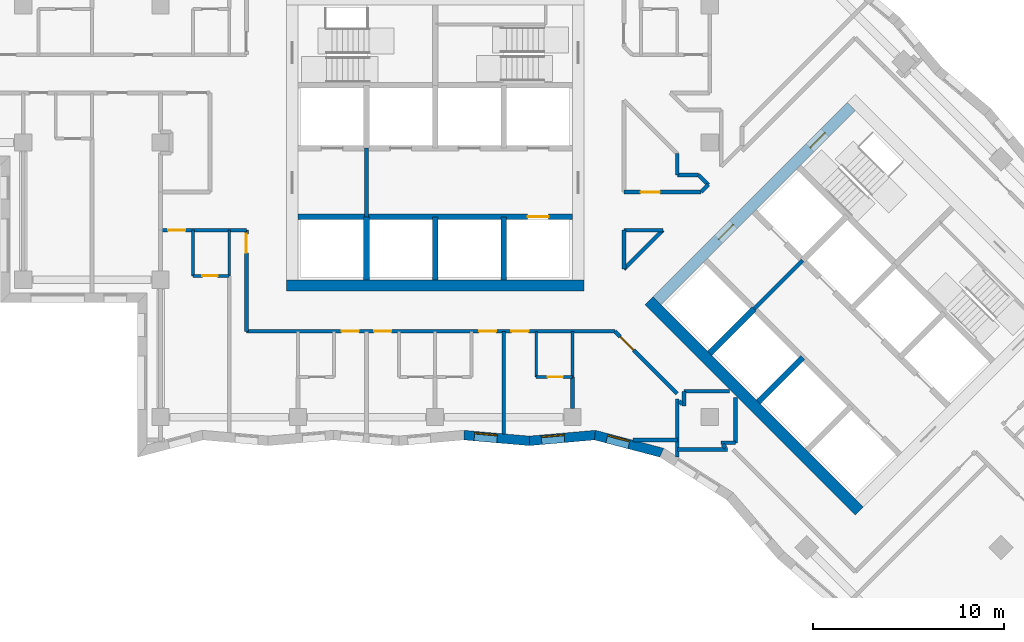
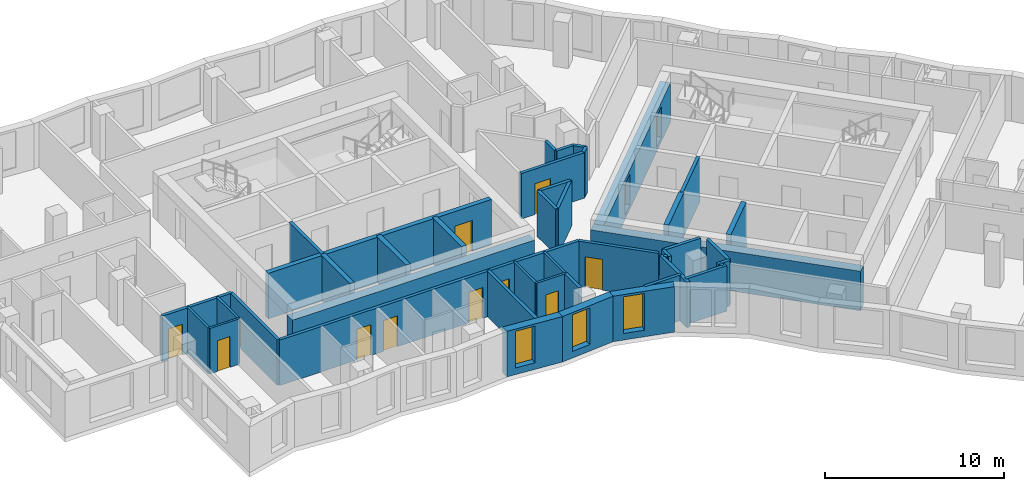
# One storey, part 3 of 12: 43 walls, 13 doors, 3 windows, 16 openings.
"""IFC4 building model written with IfcOpenShell, lengths in metres."""

import ifcopenshell
import ifcopenshell.guid

model = None  # the IFC model being written
_history = None  # IfcOwnerHistory: only IFC2X3 demands one
_inside = {}  # id of a spatial element -> (the spatial element, [elements in it])
_under = {}  # id of a project, library or spatial element -> (it, [spatial elements below it])
_declared = {}  # id of a project -> (the project, [libraries it declares])
_typed = {}  # id of a type object -> (the type object, [elements of that type])
_made_of = {}  # id of a material, layer set ... -> (it, [elements and type objects made of it])


def new_model(schema):
    """Start an empty IFC model of exactly this schema.

    Asked for "IFC4X3", IfcOpenShell would pick the latest addendum, in which some entities
    have other attributes; the version numbers below select the first issue.
    IFC2X3 requires an IfcOwnerHistory on every rooted entity: one is made here for all.
    """
    global model, _history
    if schema == "IFC4X3":
        model = ifcopenshell.file(schema_version=(4, 3, 0, 0))
    else:
        model = ifcopenshell.file(schema=schema)
    _inside.clear()
    _under.clear()
    _declared.clear()
    _typed.clear()
    _made_of.clear()
    _history = None
    if model.schema == "IFC2X3":
        org = make("IfcOrganization", Name="unknown")
        user = make(
            "IfcPersonAndOrganization",
            ThePerson=make("IfcPerson", FamilyName="unknown"),
            TheOrganization=org,
        )
        app = make(
            "IfcApplication",
            ApplicationDeveloper=org,
            Version="unknown",
            ApplicationFullName="unknown",
            ApplicationIdentifier="unknown",
        )
        _history = make(
            "IfcOwnerHistory",
            OwningUser=user,
            OwningApplication=app,
            ChangeAction="ADDED",
            CreationDate=0,
        )
    return model


def make(cls, **values):
    """One entity of the class cls with the attributes given. An attribute that is None is left unset."""
    return model.create_entity(
        cls, **{name: value for name, value in values.items() if value is not None}
    )


def rooted(cls, **values):
    """An entity with a GlobalId (a new one), such as an element, a storey or a relation."""
    return make(cls, GlobalId=ifcopenshell.guid.new(), OwnerHistory=_history, **values)


def si_unit(unit_type, name, prefix=None):
    """IfcSIUnit, for example si_unit("LENGTHUNIT", "METRE", prefix="MILLI")."""
    return make("IfcSIUnit", UnitType=unit_type, Prefix=prefix, Name=name)


def assignment(units):
    """IfcUnitAssignment: the units of a project."""
    return None if units is None else make("IfcUnitAssignment", Units=units)


def point(xyz):
    """IfcCartesianPoint."""
    return None if xyz is None else make("IfcCartesianPoint", Coordinates=xyz)


def direction(xyz):
    """IfcDirection."""
    return None if xyz is None else make("IfcDirection", DirectionRatios=xyz)


def frame(location, z_axis=None, x_axis=None):
    """IfcAxis2Placement3D, a coordinate frame: its origin and axes. An axis left out is left unset."""
    return make(
        "IfcAxis2Placement3D",
        Location=point(location),
        Axis=direction(z_axis),
        RefDirection=direction(x_axis),
    )


def frame_2d(location, x_axis=None):
    """IfcAxis2Placement2D, a coordinate frame in the plane: its origin and x axis."""
    return make(
        "IfcAxis2Placement2D", Location=point(location), RefDirection=direction(x_axis)
    )


def origin():
    """The frame at (0, 0, 0) with its axes left unset."""
    return frame((0.0, 0.0, 0.0))


def place(relative_to, where):
    """IfcLocalPlacement: puts the frame where relative to a parent placement (None: the world)."""
    return make(
        "IfcLocalPlacement", PlacementRelTo=relative_to, RelativePlacement=where
    )


def context(
    kind, dimensions, precision=None, world=None, true_north=None, identifier=None
):
    """IfcGeometricRepresentationContext, for example the 3D "Model" context."""
    return make(
        "IfcGeometricRepresentationContext",
        ContextIdentifier=identifier,
        ContextType=kind,
        CoordinateSpaceDimension=dimensions,
        Precision=precision,
        WorldCoordinateSystem=world,
        TrueNorth=true_north,
    )


def subcontext(parent, identifier, kind, view, scale=None):
    """IfcGeometricRepresentationSubContext, for example "Body" below "Model"."""
    return make(
        "IfcGeometricRepresentationSubContext",
        ContextIdentifier=identifier,
        ContextType=kind,
        ParentContext=parent,
        TargetScale=scale,
        TargetView=view,
    )


def project(units=None, contexts=None):
    """IfcProject with its units and contexts."""
    return rooted(
        "IfcProject",
        Name="project",
        RepresentationContexts=contexts,
        UnitsInContext=assignment(units),
    )


def spatial(cls, under=None, at=None, **own):
    """A site, building, storey or space (cls), placed at a placement, below another one or the project."""
    s = rooted(cls, ObjectPlacement=at, **own)
    if under is not None:
        _under.setdefault(under.id(), (under, []))[1].append(s)
    return s


def polyline(points):
    """IfcPolyline through the points."""
    return make("IfcPolyline", Points=[point(p) for p in points])


def profile(cls, at=None, kind="AREA", **sizes):
    """A parametric profile (cls). Its sizes go by their IFC names, for example OverallWidth=200.0."""
    return make(cls, ProfileType=kind, Position=at, **sizes)


def rectangle(**sizes):
    """IfcRectangleProfileDef."""
    return profile("IfcRectangleProfileDef", **sizes)


def outline(outer, holes=None, kind="AREA"):
    """IfcArbitraryClosedProfileDef: a profile drawn as a closed curve; with holes, ...WithVoids."""
    if holes is None:
        return make("IfcArbitraryClosedProfileDef", ProfileType=kind, OuterCurve=outer)
    return make(
        "IfcArbitraryProfileDefWithVoids",
        ProfileType=kind,
        OuterCurve=outer,
        InnerCurves=holes,
    )


def extrude(swept, where, along, depth):
    """IfcExtrudedAreaSolid: the profile swept, set in the frame where, extruded along a direction by depth."""
    return make(
        "IfcExtrudedAreaSolid",
        SweptArea=swept,
        Position=where,
        ExtrudedDirection=direction(along),
        Depth=depth,
    )


def shape(context_of_items, identifier, shape_type, items):
    """IfcShapeRepresentation: the items that make up one representation, for example the "Body"."""
    return make(
        "IfcShapeRepresentation",
        ContextOfItems=context_of_items,
        RepresentationIdentifier=identifier,
        RepresentationType=shape_type,
        Items=items,
    )


def material(Name=None, Category=None):
    """IfcMaterial."""
    return make("IfcMaterial", Name=Name, Category=Category)


def layer(
    of_material, thickness, ventilated=None, Name=None, Category=None, Priority=None
):
    """IfcMaterialLayer: one layer of a wall or slab, of a material (None: an air gap)."""
    return make(
        "IfcMaterialLayer",
        Material=of_material,
        LayerThickness=thickness,
        IsVentilated=ventilated,
        Name=Name,
        Category=Category,
        Priority=Priority,
    )


def layer_set(layers, Name=None):
    """IfcMaterialLayerSet."""
    return make("IfcMaterialLayerSet", MaterialLayers=layers, LayerSetName=Name)


def made_of(thing, what):
    """Note that an element or type object is made of a material, layer set ...; save() writes the relation."""
    if what is not None:
        _made_of.setdefault(what.id(), (what, []))[1].append(thing)
    return thing


def type_object(cls, material=None, **own):
    """A type object (cls), such as IfcWallType, which elements share."""
    return made_of(rooted(cls, **own), material)


def element(
    cls,
    number,
    at=None,
    inside=None,
    cuts=None,
    type_object=None,
    material=None,
    context=None,
    identifier="Body",
    shape_type=None,
    held_by="IfcProductDefinitionShape",
    body=None,
    shapes=None,
    **own,
):
    """One element of the class cls, such as IfcWall. Its Tag is "e" and its number.

    at: its placement. inside: the storey or other place that contains it. cuts: it is an
    opening in that element (IfcRelVoidsElement). A single representation is given by context,
    identifier, shape_type and body (its items); several are given by shapes. held_by: the class
    of the entity that holds the representations. save() writes the other relations.
    """
    e = rooted(cls, Tag="e%d" % number, ObjectPlacement=at, **own)
    if body is not None:
        shapes = [shape(context, identifier, shape_type, body)]
    if shapes is not None:
        e.Representation = make(held_by, Representations=shapes)
    if inside is not None:
        _inside.setdefault(inside.id(), (inside, []))[1].append(e)
    if cuts is not None:
        rooted(
            "IfcRelVoidsElement", RelatingBuildingElement=cuts, RelatedOpeningElement=e
        )
    if type_object is not None:
        _typed.setdefault(type_object.id(), (type_object, []))[1].append(e)
    return made_of(e, material)


def fill(opening, filler):
    """IfcRelFillsElement: the door or window that sits in an opening."""
    return rooted(
        "IfcRelFillsElement",
        RelatingOpeningElement=opening,
        RelatedBuildingElement=filler,
    )


def aggregate(whole, parts):
    """IfcRelAggregates: a whole, such as a stair, and the parts it consists of."""
    return rooted("IfcRelAggregates", RelatingObject=whole, RelatedObjects=parts)


def save(model, path):
    """Write the relations noted so far, then the file.

    IfcRelAggregates (storeys below a building ...), IfcRelContainedInSpatialStructure (elements
    in a storey), IfcRelDefinesByType, IfcRelAssociatesMaterial and IfcRelDeclares: one each for
    every whole, place, type object, material and project.
    """
    for whole, parts in _under.values():
        aggregate(whole, parts)
    for where, things in _inside.values():
        rooted(
            "IfcRelContainedInSpatialStructure",
            RelatedElements=things,
            RelatingStructure=where,
        )
    for kind, things in _typed.values():
        rooted("IfcRelDefinesByType", RelatedObjects=things, RelatingType=kind)
    for what, things in _made_of.values():
        rooted("IfcRelAssociatesMaterial", RelatedObjects=things, RelatingMaterial=what)
    for by, libraries in _declared.values():
        rooted("IfcRelDeclares", RelatingContext=by, RelatedDefinitions=libraries)
    model.write(path)


model = new_model("IFC4")

# Units and contexts
model_context = context("Model", 3, precision=1e-05, world=origin(), true_north=direction((0.0, 1.0)))
body_context = subcontext(model_context, "Body", "Model", "MODEL_VIEW")
ifc_project = project(units=[si_unit("LENGTHUNIT", "METRE"), si_unit("AREAUNIT", "SQUARE_METRE"), si_unit("VOLUMEUNIT", "CUBIC_METRE"), si_unit("PLANEANGLEUNIT", "RADIAN"), si_unit("MASSUNIT", "GRAM", prefix="KILO")], contexts=[model_context])

# Site, building, storey
site_placement = place(None, origin())
site = spatial("IfcSite", under=ifc_project, at=site_placement, CompositionType="ELEMENT")
building_placement = place(site_placement, origin())
building = spatial("IfcBuilding", under=site, at=building_placement, Name="Windrow Commons", CompositionType="ELEMENT")
storey_placement = place(building_placement, frame((0.0, 0.0, 135.4)))
storey = spatial("IfcBuildingStorey", under=building, at=storey_placement, Name="L36", CompositionType="ELEMENT", Elevation=135.4)

# Wall, opening, window
ifc_material_1 = material(Name="Brick masonry, red clay brick", Category="masonry")
ifc_layer_1 = layer(ifc_material_1, 0.5)
ifc_layer_set_1 = layer_set([ifc_layer_1], Name="Brick facade wall 500")
wall_type_1 = type_object("IfcWallType", Name="Brick facade wall 500", PredefinedType="SOLIDWALL", material=ifc_layer_set_1)
wall_1_placement = place(storey_placement, frame((66.3144, 42.251, 0.0), z_axis=(0.0, 0.0, 1.0), x_axis=(0.996181166, -0.0873102778, 0.0)))
wall_1 = element("IfcWall", 1, at=wall_1_placement, inside=storey, type_object=wall_type_1, Name="Brick facade wall L36 47", PredefinedType="SOLIDWALL", context=body_context, shape_type="SweptSolid", body=[
    extrude(outline(polyline([(0.0219, -0.25), (3.4579, -0.25), (3.4141, 0.25), (-0.0219, 0.25), (0.0219, -0.25)])), origin(), (0.0, 0.0, 1.0), 3.1),
])
opening_1_placement = place(wall_1_placement, frame((0.5468, 0.0, 0.45)))
opening_1 = element("IfcOpeningElement", 2, at=opening_1_placement, cuts=wall_1, Name="Opening W7E", PredefinedType="OPENING", context=body_context, shape_type="SweptSolid", body=[
    extrude(rectangle(XDim=1.2, YDim=2.5, at=frame_2d((0.6, 1.25))), frame((0.0, 0.26, 0.0), z_axis=(0.0, -1.0, 0.0), x_axis=(1.0, 0.0, 0.0)), (0.0, 0.0, 1.0), 0.52),
])
ifc_material_2 = material(Name="Clear float glass in anodised aluminium frame", Category="aluminium")
window_type = type_object("IfcWindowType", Name="Window W7 notch 1200x2500", PartitioningType="SINGLE_PANEL", PredefinedType="WINDOW", material=ifc_material_2)
window_1_placement = place(opening_1_placement, origin())
window_1 = element("IfcWindow", 3, at=window_1_placement, inside=storey, type_object=window_type, Name="Window L36 47.1", OverallHeight=2.5, OverallWidth=1.2, PartitioningType="SINGLE_PANEL", PredefinedType="WINDOW", context=body_context, shape_type="SweptSolid", body=[
    extrude(rectangle(XDim=1.2, YDim=2.5, at=frame_2d((0.6, 1.25))), frame((0.0, 0.18, 0.0), z_axis=(0.0, -1.0, 0.0), x_axis=(1.0, 0.0, 0.0)), (0.0, 0.0, 1.0), 0.06),
])
fill(opening_1, window_1)

wall_2_placement = place(storey_placement, frame((69.7373, 41.951, 0.0), z_axis=(0.0, 0.0, 1.0), x_axis=(0.9961832879, 0.0872860633, 0.0)))
wall_2 = element("IfcWall", 4, at=wall_2_placement, inside=storey, type_object=wall_type_1, Name="Brick facade wall L36 48", PredefinedType="SOLIDWALL", context=body_context, shape_type="SweptSolid", body=[
    extrude(outline(polyline([(-0.0219, -0.25), (3.4141, -0.25), (3.5011, 0.25), (0.0219, 0.25), (-0.0219, -0.25)])), origin(), (0.0, 0.0, 1.0), 3.1),
])
opening_2_placement = place(wall_2_placement, frame((0.6466, 0.0, 0.45)))
opening_2 = element("IfcOpeningElement", 5, at=opening_2_placement, cuts=wall_2, Name="Opening W7E", PredefinedType="OPENING", context=body_context, shape_type="SweptSolid", body=[
    extrude(rectangle(XDim=1.2, YDim=2.5, at=frame_2d((0.6, 1.25))), frame((0.0, 0.26, 0.0), z_axis=(0.0, -1.0, 0.0), x_axis=(1.0, 0.0, 0.0)), (0.0, 0.0, 1.0), 0.52),
])
window_2_placement = place(opening_2_placement, origin())
window_2 = element("IfcWindow", 6, at=window_2_placement, inside=storey, type_object=window_type, Name="Window L36 48.1", OverallHeight=2.5, OverallWidth=1.2, PartitioningType="SINGLE_PANEL", PredefinedType="WINDOW", context=body_context, shape_type="SweptSolid", body=[
    extrude(rectangle(XDim=1.2, YDim=2.5, at=frame_2d((0.6, 1.25))), frame((0.0, 0.18, 0.0), z_axis=(0.0, -1.0, 0.0), x_axis=(1.0, 0.0, 0.0)), (0.0, 0.0, 1.0), 0.06),
])
fill(opening_2, window_2)

wall_3_placement = place(storey_placement, frame((73.1817, 42.2528, 0.0), z_axis=(0.0, 0.0, 1.0), x_axis=(0.9671281624, -0.2542894363, 0.0)))
wall_3 = element("IfcWall", 7, at=wall_3_placement, inside=storey, type_object=wall_type_1, Name="Brick facade wall L36 49", PredefinedType="SOLIDWALL", context=body_context, shape_type="SweptSolid", body=[
    extrude(outline(polyline([(0.0435, -0.25), (3.5827, -0.25), (3.661, 0.25), (-0.0435, 0.25), (0.0435, -0.25)])), origin(), (0.0, 0.0, 1.0), 3.1),
])
opening_3_placement = place(wall_3_placement, frame((0.6502, 0.0, 0.45)))
opening_3 = element("IfcOpeningElement", 8, at=opening_3_placement, cuts=wall_3, Name="Opening W7E", PredefinedType="OPENING", context=body_context, shape_type="SweptSolid", body=[
    extrude(rectangle(XDim=1.2, YDim=2.5, at=frame_2d((0.6, 1.25))), frame((0.0, 0.26, 0.0), z_axis=(0.0, -1.0, 0.0), x_axis=(1.0, 0.0, 0.0)), (0.0, 0.0, 1.0), 0.52),
])
window_3_placement = place(opening_3_placement, origin())
window_3 = element("IfcWindow", 9, at=window_3_placement, inside=storey, type_object=window_type, Name="Window L36 49.1", OverallHeight=2.5, OverallWidth=1.2, PartitioningType="SINGLE_PANEL", PredefinedType="WINDOW", context=body_context, shape_type="SweptSolid", body=[
    extrude(rectangle(XDim=1.2, YDim=2.5, at=frame_2d((0.6, 1.25))), frame((0.0, 0.18, 0.0), z_axis=(0.0, -1.0, 0.0), x_axis=(1.0, 0.0, 0.0)), (0.0, 0.0, 1.0), 0.06),
])
fill(opening_3, window_3)

# Walls
ifc_material_3 = material(Name="Blockwork partition", Category="masonry")
ifc_layer_2 = layer(ifc_material_3, 0.2)
ifc_layer_set_2 = layer_set([ifc_layer_2], Name="Fire lobby partition 200")
wall_type_2 = type_object("IfcWallType", Name="Fire lobby partition 200", PredefinedType="PARTITIONING", material=ifc_layer_set_2)
for number, where, z_axis, x_axis, name in (
    (10, (61.2, 53.7, 0.0), (0.0, 0.0, 1.0), (0.0, 1.0, 0.0), "W-core-lobby-A-L36"),
    (11, (81.5335, 48.8776, 0.0), (0.0, 0.0, 1.0), (0.707092892, 0.7071206701, 0.0), "W-core-lobby-B-L36"),
):
    element("IfcWall", number, at=place(storey_placement, frame(where, z_axis=z_axis, x_axis=x_axis)), inside=storey, type_object=wall_type_2, Name=name, PredefinedType="PARTITIONING", context=body_context, shape_type="SweptSolid", body=[
        extrude(rectangle(XDim=3.6, YDim=0.2, at=frame_2d((1.8, 0.0))), origin(), (0.0, 0.0, 1.0), 3.1),
    ])

# Wall, openings, doors
ifc_material_4 = material(Name="Blockwork partition", Category="masonry")
ifc_layer_3 = layer(ifc_material_4, 0.2)
ifc_layer_set_3 = layer_set([ifc_layer_3], Name="IW-CORRIDOR-200")
wall_type_3 = type_object("IfcWallType", Name="IW-CORRIDOR-200", PredefinedType="PARTITIONING", material=ifc_layer_set_3)
wall_4_placement = place(storey_placement, frame((54.9, 47.7, 0.0), z_axis=(0.0, 0.0, 1.0), x_axis=(1.0, 0.0, 0.0)))
wall_4 = element("IfcWall", 12, at=wall_4_placement, inside=storey, type_object=wall_type_3, Name="W-L36-W001", PredefinedType="PARTITIONING", context=body_context, shape_type="SweptSolid", body=[
    extrude(rectangle(XDim=19.326, YDim=0.2, at=frame_2d((9.663, 0.0))), origin(), (0.0, 0.0, 1.0), 3.1),
])
opening_4_placement = place(wall_4_placement, frame((5.0, 0.0, 0.0)))
opening_4 = element("IfcOpeningElement", 13, at=opening_4_placement, cuts=wall_4, Name="Opening D109S", PredefinedType="OPENING", context=body_context, shape_type="SweptSolid", body=[
    extrude(rectangle(XDim=0.9, YDim=2.1, at=frame_2d((0.45, 1.05))), frame((0.0, 0.11, 0.0), z_axis=(0.0, -1.0, 0.0), x_axis=(1.0, 0.0, 0.0)), (0.0, 0.0, 1.0), 0.22),
])
opening_5_placement = place(wall_4_placement, frame((12.2, 0.0, 0.0)))
opening_5 = element("IfcOpeningElement", 14, at=opening_5_placement, cuts=wall_4, Name="Opening D109S", PredefinedType="OPENING", context=body_context, shape_type="SweptSolid", body=[
    extrude(rectangle(XDim=0.9, YDim=2.1, at=frame_2d((0.45, 1.05))), frame((0.0, 0.11, 0.0), z_axis=(0.0, -1.0, 0.0), x_axis=(1.0, 0.0, 0.0)), (0.0, 0.0, 1.0), 0.22),
])
opening_6_placement = place(wall_4_placement, frame((6.7, 0.0, 0.0)))
opening_6 = element("IfcOpeningElement", 15, at=opening_6_placement, cuts=wall_4, Name="Opening D109S", PredefinedType="OPENING", context=body_context, shape_type="SweptSolid", body=[
    extrude(rectangle(XDim=0.9, YDim=2.1, at=frame_2d((0.45, 1.05))), frame((0.0, 0.11, 0.0), z_axis=(0.0, -1.0, 0.0), x_axis=(1.0, 0.0, 0.0)), (0.0, 0.0, 1.0), 0.22),
])
opening_7_placement = place(wall_4_placement, frame((13.9, 0.0, 0.0)))
opening_7 = element("IfcOpeningElement", 16, at=opening_7_placement, cuts=wall_4, Name="Opening D109S", PredefinedType="OPENING", context=body_context, shape_type="SweptSolid", body=[
    extrude(rectangle(XDim=0.9, YDim=2.1, at=frame_2d((0.45, 1.05))), frame((0.0, 0.11, 0.0), z_axis=(0.0, -1.0, 0.0), x_axis=(1.0, 0.0, 0.0)), (0.0, 0.0, 1.0), 0.22),
])
ifc_material_5 = material(Name="Timber door leaf", Category="wood")
door_type_1 = type_object("IfcDoorType", Name="DT-BEDROOM-900", OperationType="SINGLE_SWING_LEFT", PredefinedType="DOOR", material=ifc_material_5)
door_1_placement = place(opening_4_placement, origin())
door_1 = element("IfcDoor", 17, at=door_1_placement, inside=storey, type_object=door_type_1, Name="D-L36-D027", OperationType="SINGLE_SWING_LEFT", OverallHeight=2.1, OverallWidth=0.9, PredefinedType="DOOR", context=body_context, shape_type="SweptSolid", body=[
    extrude(rectangle(XDim=0.9, YDim=2.1, at=frame_2d((0.45, 1.05))), frame((0.0, 0.025, 0.0), z_axis=(0.0, -1.0, 0.0), x_axis=(1.0, 0.0, 0.0)), (0.0, 0.0, 1.0), 0.05),
])
fill(opening_4, door_1)
door_2_placement = place(opening_5_placement, origin())
door_2 = element("IfcDoor", 18, at=door_2_placement, inside=storey, type_object=door_type_1, Name="D-L36-D029", OperationType="SINGLE_SWING_LEFT", OverallHeight=2.1, OverallWidth=0.9, PredefinedType="DOOR", context=body_context, shape_type="SweptSolid", body=[
    extrude(rectangle(XDim=0.9, YDim=2.1, at=frame_2d((0.45, 1.05))), frame((0.0, 0.025, 0.0), z_axis=(0.0, -1.0, 0.0), x_axis=(1.0, 0.0, 0.0)), (0.0, 0.0, 1.0), 0.05),
])
fill(opening_5, door_2)
door_3_placement = place(opening_6_placement, origin())
door_3 = element("IfcDoor", 19, at=door_3_placement, inside=storey, type_object=door_type_1, Name="D-L36-D033", OperationType="SINGLE_SWING_RIGHT", OverallHeight=2.1, OverallWidth=0.9, PredefinedType="DOOR", context=body_context, shape_type="SweptSolid", body=[
    extrude(rectangle(XDim=0.9, YDim=2.1, at=frame_2d((0.45, 1.05))), frame((0.0, 0.025, 0.0), z_axis=(0.0, -1.0, 0.0), x_axis=(1.0, 0.0, 0.0)), (0.0, 0.0, 1.0), 0.05),
])
fill(opening_6, door_3)
door_4_placement = place(opening_7_placement, origin())
door_4 = element("IfcDoor", 20, at=door_4_placement, inside=storey, type_object=door_type_1, Name="D-L36-D035", OperationType="SINGLE_SWING_RIGHT", OverallHeight=2.1, OverallWidth=0.9, PredefinedType="DOOR", context=body_context, shape_type="SweptSolid", body=[
    extrude(rectangle(XDim=0.9, YDim=2.1, at=frame_2d((0.45, 1.05))), frame((0.0, 0.025, 0.0), z_axis=(0.0, -1.0, 0.0), x_axis=(1.0, 0.0, 0.0)), (0.0, 0.0, 1.0), 0.05),
])
fill(opening_7, door_4)

# Wall, opening, door
wall_5_placement = place(storey_placement, frame((54.9, 47.7, 0.0), z_axis=(0.0, 0.0, 1.0), x_axis=(0.0, 1.0, 0.0)))
wall_5 = element("IfcWall", 21, at=wall_5_placement, inside=storey, type_object=wall_type_3, Name="W-L36-W030", PredefinedType="PARTITIONING", context=body_context, shape_type="SweptSolid", body=[
    extrude(rectangle(XDim=5.3, YDim=0.2, at=frame_2d((2.65, 0.0))), origin(), (0.0, 0.0, 1.0), 3.1),
])
opening_8_placement = place(wall_5_placement, frame((4.1063, 0.0, 0.0)))
opening_8 = element("IfcOpeningElement", 22, at=opening_8_placement, cuts=wall_5, Name="Opening D310F", PredefinedType="OPENING", context=body_context, shape_type="SweptSolid", body=[
    extrude(rectangle(XDim=1.0, YDim=2.1, at=frame_2d((0.5, 1.05))), frame((0.0, 0.11, 0.0), z_axis=(0.0, -1.0, 0.0), x_axis=(1.0, 0.0, 0.0)), (0.0, 0.0, 1.0), 0.22),
])
ifc_material_6 = material(Name="Timber door leaf", Category="wood")
door_type_2 = type_object("IfcDoorType", Name="DT-AMENITY-1000", OperationType="SINGLE_SWING_LEFT", PredefinedType="DOOR", material=ifc_material_6)
door_5_placement = place(opening_8_placement, origin())
door_5 = element("IfcDoor", 23, at=door_5_placement, inside=storey, type_object=door_type_2, Name="D-L36-D026", OperationType="SINGLE_SWING_RIGHT", OverallHeight=2.1, OverallWidth=1.0, PredefinedType="DOOR", context=body_context, shape_type="SweptSolid", body=[
    extrude(rectangle(XDim=1.0, YDim=2.1, at=frame_2d((0.5, 1.05))), frame((0.0, 0.025, 0.0), z_axis=(0.0, -1.0, 0.0), x_axis=(1.0, 0.0, 0.0)), (0.0, 0.0, 1.0), 0.05),
])
fill(opening_8, door_5)

wall_6_placement = place(storey_placement, frame((74.2227, 47.6967, 0.0), z_axis=(0.0, 0.0, 1.0), x_axis=(0.7071067812, -0.7071067812, 0.0)))
wall_6 = element("IfcWall", 24, at=wall_6_placement, inside=storey, type_object=wall_type_3, Name="W-L36-W037", PredefinedType="PARTITIONING", context=body_context, shape_type="SweptSolid", body=[
    extrude(rectangle(XDim=4.6301, YDim=0.2, at=frame_2d((2.315, 0.0))), origin(), (0.0, 0.0, 1.0), 3.1),
])
opening_9_placement = place(wall_6_placement, frame((0.4008, 0.0, 0.0)))
opening_9 = element("IfcOpeningElement", 25, at=opening_9_placement, cuts=wall_6, Name="Opening D310F", PredefinedType="OPENING", context=body_context, shape_type="SweptSolid", body=[
    extrude(rectangle(XDim=1.0, YDim=2.1, at=frame_2d((0.5, 1.05))), frame((0.0, 0.11, 0.0), z_axis=(0.0, -1.0, 0.0), x_axis=(1.0, 0.0, 0.0)), (0.0, 0.0, 1.0), 0.22),
])
door_6_placement = place(opening_9_placement, origin())
door_6 = element("IfcDoor", 26, at=door_6_placement, inside=storey, type_object=door_type_2, Name="D-L36-D037", OperationType="SINGLE_SWING_LEFT", OverallHeight=2.1, OverallWidth=1.0, PredefinedType="DOOR", context=body_context, shape_type="SweptSolid", body=[
    extrude(rectangle(XDim=1.0, YDim=2.1, at=frame_2d((0.5, 1.05))), frame((0.0, 0.025, 0.0), z_axis=(0.0, -1.0, 0.0), x_axis=(1.0, 0.0, 0.0)), (0.0, 0.0, 1.0), 0.05),
])
fill(opening_9, door_6)

wall_7_placement = place(storey_placement, frame((50.4, 53.0, 0.0), z_axis=(0.0, 0.0, 1.0), x_axis=(1.0, 0.0, 0.0)))
wall_7 = element("IfcWall", 27, at=wall_7_placement, inside=storey, type_object=wall_type_3, Name="W-L36-W038", PredefinedType="PARTITIONING", context=body_context, shape_type="SweptSolid", body=[
    extrude(rectangle(XDim=4.5, YDim=0.2, at=frame_2d((2.25, 0.0))), origin(), (0.0, 0.0, 1.0), 3.1),
])
opening_10_placement = place(wall_7_placement, frame((0.4, 0.0, 0.0)))
opening_10 = element("IfcOpeningElement", 28, at=opening_10_placement, cuts=wall_7, Name="Opening D109S", PredefinedType="OPENING", context=body_context, shape_type="SweptSolid", body=[
    extrude(rectangle(XDim=0.9, YDim=2.1, at=frame_2d((0.45, 1.05))), frame((0.0, 0.11, 0.0), z_axis=(0.0, -1.0, 0.0), x_axis=(1.0, 0.0, 0.0)), (0.0, 0.0, 1.0), 0.22),
])
door_7_placement = place(opening_10_placement, origin())
door_7 = element("IfcDoor", 29, at=door_7_placement, inside=storey, type_object=door_type_1, Name="D-L36-D024", OperationType="SINGLE_SWING_LEFT", OverallHeight=2.1, OverallWidth=0.9, PredefinedType="DOOR", context=body_context, shape_type="SweptSolid", body=[
    extrude(rectangle(XDim=0.9, YDim=2.1, at=frame_2d((0.45, 1.05))), frame((0.0, 0.025, 0.0), z_axis=(0.0, -1.0, 0.0), x_axis=(1.0, 0.0, 0.0)), (0.0, 0.0, 1.0), 0.05),
])
fill(opening_10, door_7)

wall_8_placement = place(storey_placement, frame((74.702, 55.0, 0.0), z_axis=(0.0, 0.0, 1.0), x_axis=(1.0, 0.0, 0.0)))
wall_8 = element("IfcWall", 30, at=wall_8_placement, inside=storey, type_object=wall_type_3, Name="W-L36-W042", PredefinedType="PARTITIONING", context=body_context, shape_type="SweptSolid", body=[
    extrude(rectangle(XDim=4.044, YDim=0.2, at=frame_2d((2.022, 0.0))), origin(), (0.0, 0.0, 1.0), 3.1),
])
opening_11_placement = place(wall_8_placement, frame((0.8795, 0.0, 0.0)))
opening_11 = element("IfcOpeningElement", 31, at=opening_11_placement, cuts=wall_8, Name="Opening D410F", PredefinedType="OPENING", context=body_context, shape_type="SweptSolid", body=[
    extrude(rectangle(XDim=1.0, YDim=2.1, at=frame_2d((0.5, 1.05))), frame((0.0, 0.11, 0.0), z_axis=(0.0, -1.0, 0.0), x_axis=(1.0, 0.0, 0.0)), (0.0, 0.0, 1.0), 0.22),
])
ifc_material_7 = material(Name="Timber door leaf", Category="wood")
door_type_3 = type_object("IfcDoorType", Name="DT-SERVICE-1000", OperationType="SINGLE_SWING_LEFT", PredefinedType="DOOR", material=ifc_material_7)
door_8_placement = place(opening_11_placement, origin())
door_8 = element("IfcDoor", 32, at=door_8_placement, inside=storey, type_object=door_type_3, Name="D-L36-D001", OperationType="SINGLE_SWING_LEFT", OverallHeight=2.1, OverallWidth=1.0, PredefinedType="DOOR", context=body_context, shape_type="SweptSolid", body=[
    extrude(rectangle(XDim=1.0, YDim=2.1, at=frame_2d((0.5, 1.05))), frame((0.0, 0.025, 0.0), z_axis=(0.0, -1.0, 0.0), x_axis=(1.0, 0.0, 0.0)), (0.0, 0.0, 1.0), 0.05),
])
fill(opening_11, door_8)

# Walls
wall_9_placement = place(storey_placement, frame((74.7013, 50.9567, 0.0), z_axis=(0.0, 0.0, 1.0), x_axis=(0.7071067812, 0.7071067812, 0.0)))
element("IfcWall", 33, at=wall_9_placement, inside=storey, type_object=wall_type_3, Name="W-L36-W053", PredefinedType="PARTITIONING", context=body_context, shape_type="SweptSolid", body=[
    extrude(rectangle(XDim=2.8878, YDim=0.2, at=frame_2d((1.4439, 0.0))), origin(), (0.0, 0.0, 1.0), 3.1),
])
for number, where, z_axis, x_axis, name in (
    (34, (80.55, 41.852, 0.0), (0.0, 0.0, 1.0), (0.0, 1.0, 0.0), "W-L36-W092"),
    (35, (77.852, 44.55, 0.0), (0.0, 0.0, 1.0), (1.0, 0.0, 0.0), "W-L36-W093"),
):
    element("IfcWall", number, at=place(storey_placement, frame(where, z_axis=z_axis, x_axis=x_axis)), inside=storey, type_object=wall_type_3, Name=name, PredefinedType="PARTITIONING", context=body_context, shape_type="SweptSolid", body=[
        extrude(rectangle(XDim=2.38, YDim=0.2, at=frame_2d((1.19, 0.0))), origin(), (0.0, 0.0, 1.0), 3.1),
    ])
wall_10_placement = place(storey_placement, frame((74.7, 50.956, 0.0), z_axis=(0.0, 0.0, 1.0), x_axis=(0.0, 1.0, 0.0)))
element("IfcWall", 36, at=wall_10_placement, inside=storey, type_object=wall_type_3, Name="W-L36-W105", PredefinedType="PARTITIONING", context=body_context, shape_type="SweptSolid", body=[
    extrude(rectangle(XDim=2.044, YDim=0.2, at=frame_2d((1.022, 0.0))), origin(), (0.0, 0.0, 1.0), 3.1),
])
wall_11_placement = place(storey_placement, frame((74.702, 53.0, 0.0), z_axis=(0.0, 0.0, 1.0), x_axis=(1.0, 0.0, 0.0)))
element("IfcWall", 37, at=wall_11_placement, inside=storey, type_object=wall_type_3, Name="W-L36-W106", PredefinedType="PARTITIONING", context=body_context, shape_type="SweptSolid", body=[
    extrude(rectangle(XDim=2.042, YDim=0.2, at=frame_2d((1.021, 0.0))), origin(), (0.0, 0.0, 1.0), 3.1),
])
wall_12_placement = place(storey_placement, frame((77.5, 55.9, 0.0), z_axis=(0.0, 0.0, 1.0), x_axis=(0.0, 1.0, 0.0)))
element("IfcWall", 38, at=wall_12_placement, inside=storey, type_object=wall_type_3, Name="W-L36-W145", PredefinedType="PARTITIONING", context=body_context, shape_type="SweptSolid", body=[
    extrude(rectangle(XDim=1.112, YDim=0.2, at=frame_2d((0.556, 0.0))), origin(), (0.0, 0.0, 1.0), 3.1),
])
wall_13_placement = place(storey_placement, frame((77.502, 55.9, 0.0), z_axis=(0.0, 0.0, 1.0), x_axis=(1.0, 0.0, 0.0)))
element("IfcWall", 39, at=wall_13_placement, inside=storey, type_object=wall_type_3, Name="W-L36-W146", PredefinedType="PARTITIONING", context=body_context, shape_type="SweptSolid", body=[
    extrude(rectangle(XDim=1.11, YDim=0.2, at=frame_2d((0.555, 0.0))), origin(), (0.0, 0.0, 1.0), 3.1),
])
for number, where, z_axis, x_axis, name in (
    (40, (77.85, 43.792, 0.0), (0.0, 0.0, 1.0), (0.0, 1.0, 0.0), "W-L36-W151"),
    (41, (79.792, 41.85, 0.0), (0.0, 0.0, 1.0), (1.0, 0.0, 0.0), "W-L36-W152"),
):
    element("IfcWall", number, at=place(storey_placement, frame(where, z_axis=z_axis, x_axis=x_axis)), inside=storey, type_object=wall_type_3, Name=name, PredefinedType="PARTITIONING", context=body_context, shape_type="SweptSolid", body=[
        extrude(rectangle(XDim=0.758, YDim=0.2, at=frame_2d((0.379, 0.0))), origin(), (0.0, 0.0, 1.0), 3.1),
    ])
wall_14_placement = place(storey_placement, frame((78.6089, 55.8969, 0.0), z_axis=(0.0, 0.0, 1.0), x_axis=(0.7071067812, -0.7071067812, 0.0)))
element("IfcWall", 42, at=wall_14_placement, inside=storey, type_object=wall_type_3, Name="W-L36-W153", PredefinedType="PARTITIONING", context=body_context, shape_type="SweptSolid", body=[
    extrude(rectangle(XDim=0.7297, YDim=0.2, at=frame_2d((0.3649, 0.0))), origin(), (0.0, 0.0, 1.0), 3.1),
])
wall_15_placement = place(storey_placement, frame((78.7453, 55.0007, 0.0), z_axis=(0.0, 0.0, 1.0), x_axis=(0.7071067812, 0.7071067812, 0.0)))
element("IfcWall", 43, at=wall_15_placement, inside=storey, type_object=wall_type_3, Name="W-L36-W166", PredefinedType="PARTITIONING", context=body_context, shape_type="SweptSolid", body=[
    extrude(rectangle(XDim=0.5402, YDim=0.2, at=frame_2d((0.2701, 0.0))), origin(), (0.0, 0.0, 1.0), 3.1),
])
for number, where, z_axis, x_axis, name in (
    (44, (79.8812, 41.7553, 0.0), (0.0, 0.0, 1.0), (0.7071067812, -0.7071067812, 0.0), "W-L36-W167"),
    (45, (77.5962, 44.0403, 0.0), (0.0, 0.0, 1.0), (0.7071067812, -0.7071067812, 0.0), "W-L36-W168"),
):
    element("IfcWall", number, at=place(storey_placement, frame(where, z_axis=z_axis, x_axis=x_axis)), inside=storey, type_object=wall_type_3, Name=name, PredefinedType="PARTITIONING", context=body_context, shape_type="SweptSolid", body=[
        extrude(rectangle(XDim=0.225, YDim=0.2, at=frame_2d((0.1125, 0.0))), origin(), (0.0, 0.0, 1.0), 3.1),
    ])
ifc_material_8 = material(Name="Blockwork partition", Category="masonry")
ifc_layer_4 = layer(ifc_material_8, 0.15)
ifc_layer_set_4 = layer_set([ifc_layer_4], Name="IW-ENSUITE-150")
wall_type_4 = type_object("IfcWallType", Name="IW-ENSUITE-150", PredefinedType="PARTITIONING", material=ifc_layer_set_4)
for number, where, z_axis, x_axis, name in (
    (46, (70.1, 45.3, 0.0), (0.0, 0.0, 1.0), (0.0, 1.0, 0.0), "W-L36-W072"),
    (47, (72.0, 45.3, 0.0), (0.0, 0.0, 1.0), (0.0, 1.0, 0.0), "W-L36-W073"),
    (48, (52.1, 50.6, 0.0), (0.0, 0.0, 1.0), (0.0, 1.0, 0.0), "W-L36-W074"),
    (49, (54.0, 50.6, 0.0), (0.0, 0.0, 1.0), (0.0, 1.0, 0.0), "W-L36-W075"),
):
    element("IfcWall", number, at=place(storey_placement, frame(where, z_axis=z_axis, x_axis=x_axis)), inside=storey, type_object=wall_type_4, Name=name, PredefinedType="PARTITIONING", context=body_context, shape_type="SweptSolid", body=[
        extrude(rectangle(XDim=2.4, YDim=0.15, at=frame_2d((1.2, 0.0))), origin(), (0.0, 0.0, 1.0), 3.1),
    ])

# Wall, opening, door
wall_16_placement = place(storey_placement, frame((70.1, 45.3, 0.0), z_axis=(0.0, 0.0, 1.0), x_axis=(1.0, 0.0, 0.0)))
wall_16 = element("IfcWall", 50, at=wall_16_placement, inside=storey, type_object=wall_type_4, Name="W-L36-W118", PredefinedType="PARTITIONING", context=body_context, shape_type="SweptSolid", body=[
    extrude(rectangle(XDim=1.9, YDim=0.15, at=frame_2d((0.95, 0.0))), origin(), (0.0, 0.0, 1.0), 3.1),
])
opening_12_placement = place(wall_16_placement, frame((0.5979, 0.0, 0.0)))
opening_12 = element("IfcOpeningElement", 51, at=opening_12_placement, cuts=wall_16, Name="Opening D208N", PredefinedType="OPENING", context=body_context, shape_type="SweptSolid", body=[
    extrude(rectangle(XDim=0.8, YDim=2.1, at=frame_2d((0.4, 1.05))), frame((0.0, 0.085, 0.0), z_axis=(0.0, -1.0, 0.0), x_axis=(1.0, 0.0, 0.0)), (0.0, 0.0, 1.0), 0.17),
])
ifc_material_9 = material(Name="Timber door leaf", Category="wood")
door_type_4 = type_object("IfcDoorType", Name="DT-ENSUITE-800", OperationType="SINGLE_SWING_LEFT", PredefinedType="DOOR", material=ifc_material_9)
door_9_placement = place(opening_12_placement, origin())
door_9 = element("IfcDoor", 52, at=door_9_placement, inside=storey, type_object=door_type_4, Name="D-L36-D036", OperationType="SINGLE_SWING_RIGHT", OverallHeight=2.1, OverallWidth=0.8, PredefinedType="DOOR", context=body_context, shape_type="SweptSolid", body=[
    extrude(rectangle(XDim=0.8, YDim=2.1, at=frame_2d((0.4, 1.05))), frame((0.0, 0.025, 0.0), z_axis=(0.0, -1.0, 0.0), x_axis=(1.0, 0.0, 0.0)), (0.0, 0.0, 1.0), 0.05),
])
fill(opening_12, door_9)

wall_17_placement = place(storey_placement, frame((52.1, 50.6, 0.0), z_axis=(0.0, 0.0, 1.0), x_axis=(1.0, 0.0, 0.0)))
wall_17 = element("IfcWall", 53, at=wall_17_placement, inside=storey, type_object=wall_type_4, Name="W-L36-W123", PredefinedType="PARTITIONING", context=body_context, shape_type="SweptSolid", body=[
    extrude(rectangle(XDim=1.9, YDim=0.15, at=frame_2d((0.95, 0.0))), origin(), (0.0, 0.0, 1.0), 3.1),
])
opening_13_placement = place(wall_17_placement, frame((0.4931, 0.0, 0.0)))
opening_13 = element("IfcOpeningElement", 54, at=opening_13_placement, cuts=wall_17, Name="Opening D208N", PredefinedType="OPENING", context=body_context, shape_type="SweptSolid", body=[
    extrude(rectangle(XDim=0.8, YDim=2.1, at=frame_2d((0.4, 1.05))), frame((0.0, 0.085, 0.0), z_axis=(0.0, -1.0, 0.0), x_axis=(1.0, 0.0, 0.0)), (0.0, 0.0, 1.0), 0.17),
])
door_10_placement = place(opening_13_placement, origin())
door_10 = element("IfcDoor", 55, at=door_10_placement, inside=storey, type_object=door_type_4, Name="D-L36-D025", OperationType="SINGLE_SWING_RIGHT", OverallHeight=2.1, OverallWidth=0.8, PredefinedType="DOOR", context=body_context, shape_type="SweptSolid", body=[
    extrude(rectangle(XDim=0.8, YDim=2.1, at=frame_2d((0.4, 1.05))), frame((0.0, 0.025, 0.0), z_axis=(0.0, -1.0, 0.0), x_axis=(1.0, 0.0, 0.0)), (0.0, 0.0, 1.0), 0.05),
])
fill(opening_13, door_10)

# Walls
ifc_material_10 = material(Name="Blockwork partition", Category="masonry")
ifc_layer_5 = layer(ifc_material_10, 0.2)
ifc_layer_set_5 = layer_set([ifc_layer_5], Name="IW-PARTY-200")
wall_type_5 = type_object("IfcWallType", Name="IW-PARTY-200", PredefinedType="PARTITIONING", material=ifc_layer_set_5)
wall_18_placement = place(storey_placement, frame((68.4, 42.3191, 0.0), z_axis=(0.0, 0.0, 1.0), x_axis=(0.0, 1.0, 0.0)))
element("IfcWall", 56, at=wall_18_placement, inside=storey, type_object=wall_type_5, Name="W-L36-W029", PredefinedType="PARTITIONING", context=body_context, shape_type="SweptSolid", body=[
    extrude(rectangle(XDim=5.3809, YDim=0.2, at=frame_2d((2.6904, 0.0))), origin(), (0.0, 0.0, 1.0), 3.1),
])
wall_19_placement = place(storey_placement, frame((77.5, 41.1084, 0.0), z_axis=(0.0, 0.0, 1.0), x_axis=(0.0, 1.0, 0.0)))
element("IfcWall", 57, at=wall_19_placement, inside=storey, type_object=wall_type_5, Name="W-L36-W056", PredefinedType="PARTITIONING", context=body_context, shape_type="SweptSolid", body=[
    extrude(rectangle(XDim=3.0336, YDim=0.2, at=frame_2d((1.5168, 0.0))), origin(), (0.0, 0.0, 1.0), 3.1),
])
wall_20_placement = place(storey_placement, frame((77.502, 41.5, 0.0), z_axis=(0.0, 0.0, 1.0), x_axis=(1.0, 0.0, 0.0)))
element("IfcWall", 58, at=wall_20_placement, inside=storey, type_object=wall_type_5, Name="W-L36-W057", PredefinedType="PARTITIONING", context=body_context, shape_type="SweptSolid", body=[
    extrude(rectangle(XDim=2.64, YDim=0.2, at=frame_2d((1.32, 0.0))), origin(), (0.0, 0.0, 1.0), 3.1),
])
wall_21_placement = place(storey_placement, frame((75.1765, 42.0, 0.0), z_axis=(0.0, 0.0, 1.0), x_axis=(1.0, 0.0, 0.0)))
element("IfcWall", 59, at=wall_21_placement, inside=storey, type_object=wall_type_5, Name="W-L36-W094", PredefinedType="PARTITIONING", context=body_context, shape_type="SweptSolid", body=[
    extrude(rectangle(XDim=2.3235, YDim=0.2, at=frame_2d((1.1618, 0.0))), origin(), (0.0, 0.0, 1.0), 3.1),
])
wall_22_placement = place(storey_placement, frame((72.0, 43.65, 0.0), z_axis=(0.0, 0.0, 1.0), x_axis=(0.0, 1.0, 0.0)))
element("IfcWall", 60, at=wall_22_placement, inside=storey, type_object=wall_type_5, Name="W-L36-W139", PredefinedType="PARTITIONING", context=body_context, shape_type="SweptSolid", body=[
    extrude(rectangle(XDim=1.65, YDim=0.2, at=frame_2d((0.825, 0.0))), origin(), (0.0, 0.0, 1.0), 3.1),
])
ifc_material_11 = material(Name="Concrete C50/60", Category="concrete")
ifc_layer_6 = layer(ifc_material_11, 0.6)
ifc_layer_set_6 = layer_set([ifc_layer_6], Name="RC CORE WALL 600 C50/60")
wall_type_6 = type_object("IfcWallType", Name="RC CORE WALL 600 C50/60", PredefinedType="SHEAR", material=ifc_layer_set_6)
for number, where, z_axis, x_axis, name in (
    (61, (57.0, 50.1, -0.3), (0.0, 0.0, 1.0), (1.0, 0.0, 0.0), "Core A wall outer-S"),
    (62, (76.018, 49.3019, -0.3), (0.0, 0.0, 1.0), (0.7071067812, -0.7071067812, 0.0), "Core B wall outer-S"),
):
    element("IfcWall", number, at=place(storey_placement, frame(where, z_axis=z_axis, x_axis=x_axis)), inside=storey, type_object=wall_type_6, Name=name, PredefinedType="SHEAR", context=body_context, shape_type="SweptSolid", body=[
        extrude(rectangle(XDim=15.6, YDim=0.6, at=frame_2d((7.8, 0.0))), origin(), (0.0, 0.0, 1.0), 2.7),
    ])

# Wall, openings, doors
wall_23_placement = place(storey_placement, frame((76.4423, 49.3019, -0.3), z_axis=(0.0, 0.0, 1.0), x_axis=(0.7071067812, 0.7071067812, 0.0)))
wall_23 = element("IfcWall", 63, at=wall_23_placement, inside=storey, type_object=wall_type_6, Name="Core B wall outer-W", PredefinedType="SHEAR", context=body_context, shape_type="SweptSolid", body=[
    extrude(rectangle(XDim=14.3999, YDim=0.6, at=frame_2d((7.2, 0.0))), origin(), (0.0, 0.0, 1.0), 2.7),
])
opening_14_placement = place(wall_23_placement, frame((4.55, 0.0, 0.3)))
opening_14 = element("IfcOpeningElement", 64, at=opening_14_placement, cuts=wall_23, Name="Opening D6", PredefinedType="OPENING", context=body_context, shape_type="SweptSolid", body=[
    extrude(rectangle(XDim=1.1, YDim=2.1, at=frame_2d((0.55, 1.05))), frame((0.0, 0.31, 0.0), z_axis=(0.0, -1.0, 0.0), x_axis=(1.0, 0.0, 0.0)), (0.0, 0.0, 1.0), 0.62),
])
opening_15_placement = place(wall_23_placement, frame((11.35, 0.0, 0.3)))
opening_15 = element("IfcOpeningElement", 65, at=opening_15_placement, cuts=wall_23, Name="Opening D7", PredefinedType="OPENING", context=body_context, shape_type="SweptSolid", body=[
    extrude(rectangle(XDim=1.1, YDim=2.1, at=frame_2d((0.55, 1.05))), frame((0.0, 0.31, 0.0), z_axis=(0.0, -1.0, 0.0), x_axis=(1.0, 0.0, 0.0)), (0.0, 0.0, 1.0), 0.62),
])
ifc_material_12 = material(Name="Steel fire door leaf", Category="steel")
door_type_5 = type_object("IfcDoorType", Name="Core lobby door 1100", OperationType="SINGLE_SWING_LEFT", PredefinedType="DOOR", material=ifc_material_12)
door_11_placement = place(opening_14_placement, origin())
door_11 = element("IfcDoor", 66, at=door_11_placement, inside=storey, type_object=door_type_5, Name="Lift lobby door", OperationType="DOUBLE_DOOR_SINGLE_SWING", OverallHeight=2.1, OverallWidth=1.1, PredefinedType="DOOR", context=body_context, shape_type="SweptSolid", body=[
    extrude(rectangle(XDim=1.1, YDim=2.1, at=frame_2d((0.55, 1.05))), frame((0.0, 0.025, 0.0), z_axis=(0.0, -1.0, 0.0), x_axis=(1.0, 0.0, 0.0)), (0.0, 0.0, 1.0), 0.05),
])
fill(opening_14, door_11)
ifc_material_13 = material(Name="Steel fire door leaf", Category="steel")
door_type_6 = type_object("IfcDoorType", Name="Stair door 1100", OperationType="SINGLE_SWING_LEFT", PredefinedType="DOOR", material=ifc_material_13)
door_12_placement = place(opening_15_placement, origin())
door_12 = element("IfcDoor", 67, at=door_12_placement, inside=storey, type_object=door_type_6, Name="Stair door", OperationType="SINGLE_SWING_LEFT", OverallHeight=2.1, OverallWidth=1.1, PredefinedType="DOOR", context=body_context, shape_type="SweptSolid", body=[
    extrude(rectangle(XDim=1.1, YDim=2.1, at=frame_2d((0.55, 1.05))), frame((0.0, 0.025, 0.0), z_axis=(0.0, -1.0, 0.0), x_axis=(1.0, 0.0, 0.0)), (0.0, 0.0, 1.0), 0.05),
])
fill(opening_15, door_12)

# Walls
ifc_material_14 = material(Name="Concrete C50/60", Category="concrete")
ifc_layer_7 = layer(ifc_material_14, 0.3)
ifc_layer_set_7 = layer_set([ifc_layer_7], Name="RC SHAFT WALL 300 C50/60")
wall_type_7 = type_object("IfcWallType", Name="RC SHAFT WALL 300 C50/60", PredefinedType="SOLIDWALL", material=ifc_layer_set_7)
for number, where, z_axis, x_axis, name in (
    (68, (61.2, 50.4, 0.0), (0.0, 0.0, 1.0), (0.0, 1.0, 0.0), "Core A wall shaft-S1"),
    (69, (64.8, 50.4, 0.0), (0.0, 0.0, 1.0), (0.0, 1.0, 0.0), "Core A wall shaft-S2"),
    (70, (68.4, 50.4, 0.0), (0.0, 0.0, 1.0), (0.0, 1.0, 0.0), "Core A wall shaft-S3"),
):
    element("IfcWall", number, at=place(storey_placement, frame(where, z_axis=z_axis, x_axis=x_axis)), inside=storey, type_object=wall_type_7, Name=name, PredefinedType="SOLIDWALL", context=body_context, shape_type="SweptSolid", body=[
        extrude(rectangle(XDim=3.3, YDim=0.3, at=frame_2d((1.65, 0.0))), origin(), (0.0, 0.0, 1.0), 3.1),
    ])

# Wall, opening, door
wall_24_placement = place(storey_placement, frame((57.6, 53.7, 0.0), z_axis=(0.0, 0.0, 1.0), x_axis=(1.0, 0.0, 0.0)))
wall_24 = element("IfcWall", 71, at=wall_24_placement, inside=storey, type_object=wall_type_7, Name="Core A wall lobby-S", PredefinedType="SOLIDWALL", context=body_context, shape_type="SweptSolid", body=[
    extrude(rectangle(XDim=14.4, YDim=0.3, at=frame_2d((7.2, 0.0))), origin(), (0.0, 0.0, 1.0), 3.1),
])
opening_16_placement = place(wall_24_placement, frame((12.05, 0.0, 0.0)))
opening_16 = element("IfcOpeningElement", 72, at=opening_16_placement, cuts=wall_24, Name="Opening LD", PredefinedType="OPENING", context=body_context, shape_type="SweptSolid", body=[
    extrude(rectangle(XDim=1.1, YDim=2.1, at=frame_2d((0.55, 1.05))), frame((0.0, 0.16, 0.0), z_axis=(0.0, -1.0, 0.0), x_axis=(1.0, 0.0, 0.0)), (0.0, 0.0, 1.0), 0.32),
])
ifc_material_15 = material(Name="Stainless steel door leaf", Category="steel")
door_type_7 = type_object("IfcDoorType", Name="Lift landing door 1100", OperationType="SLIDING_TO_LEFT", PredefinedType="DOOR", material=ifc_material_15)
door_13_placement = place(opening_16_placement, origin())
door_13 = element("IfcDoor", 73, at=door_13_placement, inside=storey, type_object=door_type_7, Name="Lift landing door", OperationType="SLIDING_TO_RIGHT", OverallHeight=2.1, OverallWidth=1.1, PredefinedType="DOOR", context=body_context, shape_type="SweptSolid", body=[
    extrude(rectangle(XDim=1.1, YDim=2.1, at=frame_2d((0.55, 1.05))), frame((0.0, 0.025, 0.0), z_axis=(0.0, -1.0, 0.0), x_axis=(1.0, 0.0, 0.0)), (0.0, 0.0, 1.0), 0.05),
])
fill(opening_16, door_13)

# Walls
wall_25_placement = place(storey_placement, frame((79.2, 46.5442, 0.0), z_axis=(0.0, 0.0, 1.0), x_axis=(0.7071219326, 0.7070916295, 0.0)))
element("IfcWall", 74, at=wall_25_placement, inside=storey, type_object=wall_type_7, Name="Core B wall shaft-S1", PredefinedType="SOLIDWALL", context=body_context, shape_type="SweptSolid", body=[
    extrude(rectangle(XDim=3.3, YDim=0.3, at=frame_2d((1.65, 0.0))), origin(), (0.0, 0.0, 1.0), 3.1),
])
wall_26_placement = place(storey_placement, frame((81.7456, 43.9986, 0.0), z_axis=(0.0, 0.0, 1.0), x_axis=(0.7071067812, 0.7071067812, 0.0)))
element("IfcWall", 75, at=wall_26_placement, inside=storey, type_object=wall_type_7, Name="Core B wall shaft-S2", PredefinedType="SOLIDWALL", context=body_context, shape_type="SweptSolid", body=[
    extrude(rectangle(XDim=3.2999, YDim=0.3, at=frame_2d((1.65, 0.0))), origin(), (0.0, 0.0, 1.0), 3.1),
])

save(model, "model.ifc")
